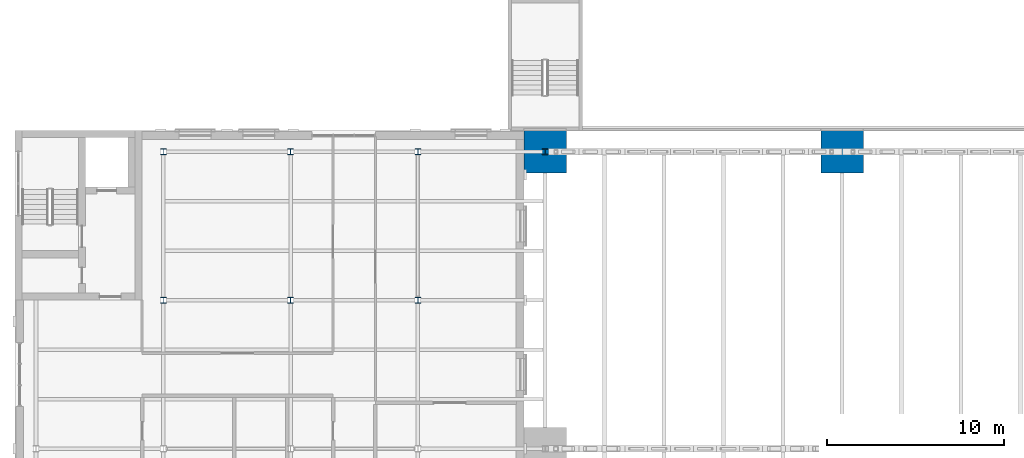
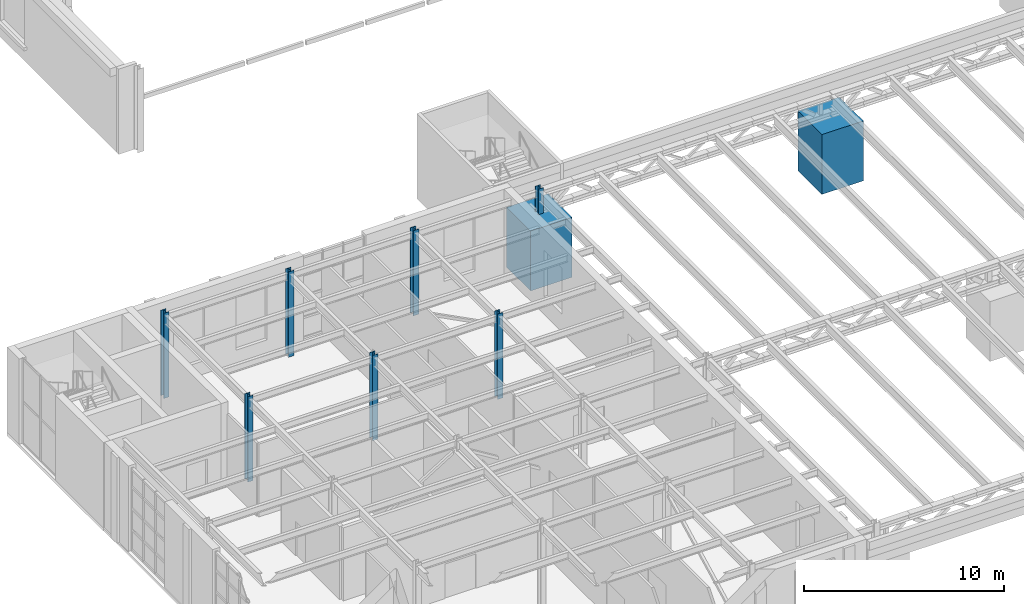
# One storey, part 3 of 93: 9 columns.
"""IFC4 building model written with IfcOpenShell, lengths in metres."""

from ifc_helpers import new_model, si_unit, direction, frame, origin, origin_2d, place, context, subcontext, project, spatial, rectangle, i_section, extrude, material, material_profile, profile_set, type_object, element, save


model = new_model("IFC4")

# Units and contexts
model_context = context("Model", 3, precision=1e-05, world=origin(), true_north=direction((0.0, 1.0)))
body_context = subcontext(model_context, "Body", "Model", "MODEL_VIEW")
ifc_project = project(units=[si_unit("LENGTHUNIT", "METRE"), si_unit("AREAUNIT", "SQUARE_METRE"), si_unit("VOLUMEUNIT", "CUBIC_METRE"), si_unit("PLANEANGLEUNIT", "RADIAN"), si_unit("MASSUNIT", "GRAM", prefix="KILO")], contexts=[model_context])

# Site, building, storey
site_placement = place(None, origin())
site = spatial("IfcSite", under=ifc_project, at=site_placement, CompositionType="ELEMENT")
building_placement = place(site_placement, origin())
building = spatial("IfcBuilding", under=site, at=building_placement, Name="Verrick Yard Athletic Hall", CompositionType="ELEMENT")
storey_placement = place(building_placement, frame((0.0, 0.0, 8.800048828125)))
storey = spatial("IfcBuildingStorey", under=building, at=storey_placement, Name="L02", CompositionType="ELEMENT", Elevation=8.800048828125)

# Columns
ifc_material_1 = material(Name="Concrete 35 MPa", Category="concrete")
ifc_material_profile_1 = material_profile(ifc_material_1, rectangle(XDim=2.39990234375, YDim=2.39990234375, at=origin_2d()), Name="STR Buttress pier PR1")
ifc_profile_set_1 = profile_set([ifc_material_profile_1], Name="Concrete 35 MPa")
column_type_1 = type_object("IfcColumnType", Name="STR Buttress pier PR1", PredefinedType="COLUMN", material=ifc_profile_set_1)
for number, where, z_axis, x_axis, name in (
    (1, (40.0, 52.800048828125, 0.0), (0.0, 0.0, 1.0), (1.0, 0.0, 0.0), "Buttress pier P1C"),
    (2, (56.800048828125, 52.800048828125, 0.0), (0.0, 0.0, 1.0), (1.0, 0.0, 0.0), "Buttress pier P2C"),
):
    element("IfcColumn", number, at=place(storey_placement, frame(where, z_axis=z_axis, x_axis=x_axis)), inside=storey, type_object=column_type_1, Name=name, PredefinedType="COLUMN", context=body_context, shape_type="SweptSolid", body=[
        extrude(rectangle(XDim=2.39990234375, YDim=2.39990234375, at=origin_2d()), origin(), (0.0, 0.0, 1.0), 3.64990234375),
    ])
ifc_material_2 = material(Name="Structural steel 350W (CSA G40.21)", Category="steel")
ifc_material_profile_2 = material_profile(ifc_material_2, i_section(OverallWidth=0.30908203125, OverallDepth=0.322998046875, WebThickness=0.013916015625, FlangeThickness=0.02294921875, at=origin_2d()), Name="W310x143")
ifc_profile_set_2 = profile_set([ifc_material_profile_2], Name="Structural steel 350W (CSA G40.21)")
column_type_2 = type_object("IfcColumnType", Name="STR Wing column W310x143", PredefinedType="COLUMN", material=ifc_profile_set_2)
for number, where, z_axis, x_axis, name in (
    (3, (18.39990234375, 44.39990234375, 0.0), (0.0, 0.0, 1.0), (1.0, 0.0, 0.0), "Wing column WC24"),
    (4, (18.39990234375, 52.800048828125, 0.0), (0.0, 0.0, 1.0), (1.0, 0.0, 0.0), "Wing column WC25"),
    (5, (25.60009765625, 44.39990234375, 0.0), (0.0, 0.0, 1.0), (1.0, 0.0, 0.0), "Wing column WC34"),
    (6, (25.60009765625, 52.800048828125, 0.0), (0.0, 0.0, 1.0), (1.0, 0.0, 0.0), "Wing column WC35"),
    (7, (32.800048828125, 44.39990234375, 0.0), (0.0, 0.0, 1.0), (1.0, 0.0, 0.0), "Wing column WC44"),
    (8, (32.800048828125, 52.800048828125, 0.0), (0.0, 0.0, 1.0), (1.0, 0.0, 0.0), "Wing column WC45"),
):
    element("IfcColumn", number, at=place(storey_placement, frame(where, z_axis=z_axis, x_axis=x_axis)), inside=storey, type_object=column_type_2, Name=name, PredefinedType="COLUMN", context=body_context, shape_type="SweptSolid", body=[
        extrude(i_section(OverallWidth=0.30908203125, OverallDepth=0.322998046875, WebThickness=0.013916015625, FlangeThickness=0.02294921875, at=origin_2d()), origin(), (0.0, 0.0, 1.0), 5.199951171875),
    ])
column_placement = place(storey_placement, frame((40.0, 52.800048828125, 3.64990234375), z_axis=(0.0, 0.0, 1.0), x_axis=(1.0, 0.0, 0.0)))
element("IfcColumn", 9, at=column_placement, inside=storey, type_object=column_type_2, Name="Wing east column 52.8", PredefinedType="COLUMN", context=body_context, shape_type="SweptSolid", body=[
    extrude(i_section(OverallWidth=0.30908203125, OverallDepth=0.322998046875, WebThickness=0.013916015625, FlangeThickness=0.02294921875, at=origin_2d()), origin(), (0.0, 0.0, 1.0), 1.550048828125),
])

save(model, "model.ifc")
